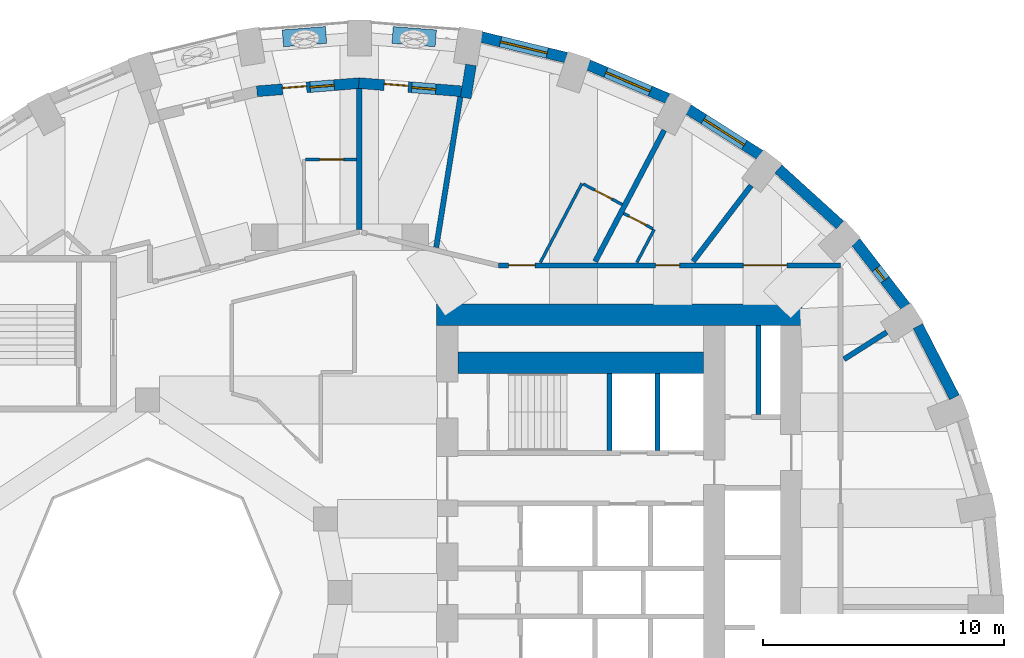
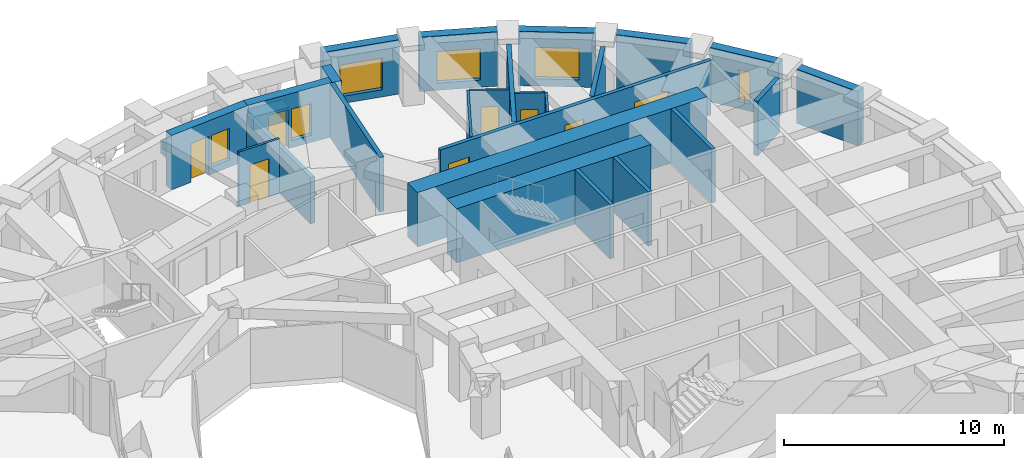
# One storey, part 8 of 12: 27 walls, 8 doors, 6 windows, 14 openings.
"""IFC4 building model written with IfcOpenShell, lengths in metres."""

import ifcopenshell
import ifcopenshell.guid

model = None  # the IFC model being written
_history = None  # IfcOwnerHistory: only IFC2X3 demands one
_inside = {}  # id of a spatial element -> (the spatial element, [elements in it])
_under = {}  # id of a project, library or spatial element -> (it, [spatial elements below it])
_declared = {}  # id of a project -> (the project, [libraries it declares])
_typed = {}  # id of a type object -> (the type object, [elements of that type])
_made_of = {}  # id of a material, layer set ... -> (it, [elements and type objects made of it])


def new_model(schema):
    """Start an empty IFC model of exactly this schema.

    Asked for "IFC4X3", IfcOpenShell would pick the latest addendum, in which some entities
    have other attributes; the version numbers below select the first issue.
    IFC2X3 requires an IfcOwnerHistory on every rooted entity: one is made here for all.
    """
    global model, _history
    if schema == "IFC4X3":
        model = ifcopenshell.file(schema_version=(4, 3, 0, 0))
    else:
        model = ifcopenshell.file(schema=schema)
    _inside.clear()
    _under.clear()
    _declared.clear()
    _typed.clear()
    _made_of.clear()
    _history = None
    if model.schema == "IFC2X3":
        org = make("IfcOrganization", Name="unknown")
        user = make(
            "IfcPersonAndOrganization",
            ThePerson=make("IfcPerson", FamilyName="unknown"),
            TheOrganization=org,
        )
        app = make(
            "IfcApplication",
            ApplicationDeveloper=org,
            Version="unknown",
            ApplicationFullName="unknown",
            ApplicationIdentifier="unknown",
        )
        _history = make(
            "IfcOwnerHistory",
            OwningUser=user,
            OwningApplication=app,
            ChangeAction="ADDED",
            CreationDate=0,
        )
    return model


def make(cls, **values):
    """One entity of the class cls with the attributes given. An attribute that is None is left unset."""
    return model.create_entity(
        cls, **{name: value for name, value in values.items() if value is not None}
    )


def rooted(cls, **values):
    """An entity with a GlobalId (a new one), such as an element, a storey or a relation."""
    return make(cls, GlobalId=ifcopenshell.guid.new(), OwnerHistory=_history, **values)


def si_unit(unit_type, name, prefix=None):
    """IfcSIUnit, for example si_unit("LENGTHUNIT", "METRE", prefix="MILLI")."""
    return make("IfcSIUnit", UnitType=unit_type, Prefix=prefix, Name=name)


def assignment(units):
    """IfcUnitAssignment: the units of a project."""
    return None if units is None else make("IfcUnitAssignment", Units=units)


def point(xyz):
    """IfcCartesianPoint."""
    return None if xyz is None else make("IfcCartesianPoint", Coordinates=xyz)


def direction(xyz):
    """IfcDirection."""
    return None if xyz is None else make("IfcDirection", DirectionRatios=xyz)


def frame(location, z_axis=None, x_axis=None):
    """IfcAxis2Placement3D, a coordinate frame: its origin and axes. An axis left out is left unset."""
    return make(
        "IfcAxis2Placement3D",
        Location=point(location),
        Axis=direction(z_axis),
        RefDirection=direction(x_axis),
    )


def frame_2d(location, x_axis=None):
    """IfcAxis2Placement2D, a coordinate frame in the plane: its origin and x axis."""
    return make(
        "IfcAxis2Placement2D", Location=point(location), RefDirection=direction(x_axis)
    )


def origin():
    """The frame at (0, 0, 0) with its axes left unset."""
    return frame((0.0, 0.0, 0.0))


def place(relative_to, where):
    """IfcLocalPlacement: puts the frame where relative to a parent placement (None: the world)."""
    return make(
        "IfcLocalPlacement", PlacementRelTo=relative_to, RelativePlacement=where
    )


def context(
    kind, dimensions, precision=None, world=None, true_north=None, identifier=None
):
    """IfcGeometricRepresentationContext, for example the 3D "Model" context."""
    return make(
        "IfcGeometricRepresentationContext",
        ContextIdentifier=identifier,
        ContextType=kind,
        CoordinateSpaceDimension=dimensions,
        Precision=precision,
        WorldCoordinateSystem=world,
        TrueNorth=true_north,
    )


def subcontext(parent, identifier, kind, view, scale=None):
    """IfcGeometricRepresentationSubContext, for example "Body" below "Model"."""
    return make(
        "IfcGeometricRepresentationSubContext",
        ContextIdentifier=identifier,
        ContextType=kind,
        ParentContext=parent,
        TargetScale=scale,
        TargetView=view,
    )


def project(units=None, contexts=None):
    """IfcProject with its units and contexts."""
    return rooted(
        "IfcProject",
        Name="project",
        RepresentationContexts=contexts,
        UnitsInContext=assignment(units),
    )


def spatial(cls, under=None, at=None, **own):
    """A site, building, storey or space (cls), placed at a placement, below another one or the project."""
    s = rooted(cls, ObjectPlacement=at, **own)
    if under is not None:
        _under.setdefault(under.id(), (under, []))[1].append(s)
    return s


def profile(cls, at=None, kind="AREA", **sizes):
    """A parametric profile (cls). Its sizes go by their IFC names, for example OverallWidth=200.0."""
    return make(cls, ProfileType=kind, Position=at, **sizes)


def rectangle(**sizes):
    """IfcRectangleProfileDef."""
    return profile("IfcRectangleProfileDef", **sizes)


def extrude(swept, where, along, depth):
    """IfcExtrudedAreaSolid: the profile swept, set in the frame where, extruded along a direction by depth."""
    return make(
        "IfcExtrudedAreaSolid",
        SweptArea=swept,
        Position=where,
        ExtrudedDirection=direction(along),
        Depth=depth,
    )


def shape(context_of_items, identifier, shape_type, items):
    """IfcShapeRepresentation: the items that make up one representation, for example the "Body"."""
    return make(
        "IfcShapeRepresentation",
        ContextOfItems=context_of_items,
        RepresentationIdentifier=identifier,
        RepresentationType=shape_type,
        Items=items,
    )


def material(Name=None, Category=None):
    """IfcMaterial."""
    return make("IfcMaterial", Name=Name, Category=Category)


def layer(
    of_material, thickness, ventilated=None, Name=None, Category=None, Priority=None
):
    """IfcMaterialLayer: one layer of a wall or slab, of a material (None: an air gap)."""
    return make(
        "IfcMaterialLayer",
        Material=of_material,
        LayerThickness=thickness,
        IsVentilated=ventilated,
        Name=Name,
        Category=Category,
        Priority=Priority,
    )


def layer_set(layers, Name=None):
    """IfcMaterialLayerSet."""
    return make("IfcMaterialLayerSet", MaterialLayers=layers, LayerSetName=Name)


def constituent(of_material, Name=None, Category=None, fraction=None):
    """IfcMaterialConstituent: one of the materials an element consists of."""
    return make(
        "IfcMaterialConstituent",
        Name=Name,
        Material=of_material,
        Fraction=fraction,
        Category=Category,
    )


def constituent_set(constituents=None, Name=None):
    """IfcMaterialConstituentSet."""
    return make(
        "IfcMaterialConstituentSet", Name=Name, MaterialConstituents=constituents
    )


def made_of(thing, what):
    """Note that an element or type object is made of a material, layer set ...; save() writes the relation."""
    if what is not None:
        _made_of.setdefault(what.id(), (what, []))[1].append(thing)
    return thing


def type_object(cls, material=None, **own):
    """A type object (cls), such as IfcWallType, which elements share."""
    return made_of(rooted(cls, **own), material)


def element(
    cls,
    number,
    at=None,
    inside=None,
    cuts=None,
    type_object=None,
    material=None,
    context=None,
    identifier="Body",
    shape_type=None,
    held_by="IfcProductDefinitionShape",
    body=None,
    shapes=None,
    **own,
):
    """One element of the class cls, such as IfcWall. Its Tag is "e" and its number.

    at: its placement. inside: the storey or other place that contains it. cuts: it is an
    opening in that element (IfcRelVoidsElement). A single representation is given by context,
    identifier, shape_type and body (its items); several are given by shapes. held_by: the class
    of the entity that holds the representations. save() writes the other relations.
    """
    e = rooted(cls, Tag="e%d" % number, ObjectPlacement=at, **own)
    if body is not None:
        shapes = [shape(context, identifier, shape_type, body)]
    if shapes is not None:
        e.Representation = make(held_by, Representations=shapes)
    if inside is not None:
        _inside.setdefault(inside.id(), (inside, []))[1].append(e)
    if cuts is not None:
        rooted(
            "IfcRelVoidsElement", RelatingBuildingElement=cuts, RelatedOpeningElement=e
        )
    if type_object is not None:
        _typed.setdefault(type_object.id(), (type_object, []))[1].append(e)
    return made_of(e, material)


def fill(opening, filler):
    """IfcRelFillsElement: the door or window that sits in an opening."""
    return rooted(
        "IfcRelFillsElement",
        RelatingOpeningElement=opening,
        RelatedBuildingElement=filler,
    )


def aggregate(whole, parts):
    """IfcRelAggregates: a whole, such as a stair, and the parts it consists of."""
    return rooted("IfcRelAggregates", RelatingObject=whole, RelatedObjects=parts)


def save(model, path):
    """Write the relations noted so far, then the file.

    IfcRelAggregates (storeys below a building ...), IfcRelContainedInSpatialStructure (elements
    in a storey), IfcRelDefinesByType, IfcRelAssociatesMaterial and IfcRelDeclares: one each for
    every whole, place, type object, material and project.
    """
    for whole, parts in _under.values():
        aggregate(whole, parts)
    for where, things in _inside.values():
        rooted(
            "IfcRelContainedInSpatialStructure",
            RelatedElements=things,
            RelatingStructure=where,
        )
    for kind, things in _typed.values():
        rooted("IfcRelDefinesByType", RelatedObjects=things, RelatingType=kind)
    for what, things in _made_of.values():
        rooted("IfcRelAssociatesMaterial", RelatedObjects=things, RelatingMaterial=what)
    for by, libraries in _declared.values():
        rooted("IfcRelDeclares", RelatingContext=by, RelatedDefinitions=libraries)
    model.write(path)


model = new_model("IFC4")

# Units and contexts
model_context = context("Model", 3, precision=1e-05, world=origin(), true_north=direction((0.0, 1.0)))
body_context = subcontext(model_context, "Body", "Model", "MODEL_VIEW")
ifc_project = project(units=[si_unit("LENGTHUNIT", "METRE"), si_unit("AREAUNIT", "SQUARE_METRE"), si_unit("VOLUMEUNIT", "CUBIC_METRE"), si_unit("PLANEANGLEUNIT", "RADIAN"), si_unit("MASSUNIT", "GRAM", prefix="KILO")], contexts=[model_context])

# Site, building, storey
site_placement = place(None, origin())
site = spatial("IfcSite", under=ifc_project, at=site_placement, CompositionType="ELEMENT")
building_placement = place(site_placement, origin())
building = spatial("IfcBuilding", under=site, at=building_placement, Name="Taillehof Tower", CompositionType="ELEMENT")
storey_placement = place(building_placement, frame((0.0, 0.0, 95.5)))
storey = spatial("IfcBuildingStorey", under=building, at=storey_placement, Name="L26", CompositionType="ELEMENT", Elevation=95.5)

# Wall
ifc_material_1 = material(Name="Brick masonry", Category="masonry")
ifc_layer_1 = layer(ifc_material_1, 0.449951171875)
ifc_layer_set_1 = layer_set([ifc_layer_1], Name="Brick infill wall 450")
wall_type_1 = type_object("IfcWallType", Name="Brick infill wall 450", PredefinedType="SOLIDWALL", material=ifc_layer_set_1)
wall_1_placement = place(storey_placement, frame((25.545166015625, 8.1123046875, 0.0), z_axis=(0.0, 0.0, 1.0), x_axis=(-0.456828186229, 0.889554949549, 0.0)))
element("IfcWall", 1, at=wall_1_placement, inside=storey, type_object=wall_type_1, Name="Brick wall L26 bay 3", PredefinedType="SOLIDWALL", context=body_context, shape_type="SweptSolid", body=[
    extrude(rectangle(XDim=3.332763671875, YDim=0.449951171875, at=frame_2d((1.66650390625, 0.0))), origin(), (0.0, 0.0, 1.0), 3.02001953125),
])

# Wall, opening, window
wall_2_placement = place(storey_placement, frame((23.508056640625, 11.887451171875, 0.0), z_axis=(0.0, 0.0, 1.0), x_axis=(-0.610693945156, 0.791866721961, 0.0)))
wall_2 = element("IfcWall", 2, at=wall_2_placement, inside=storey, type_object=wall_type_1, Name="Brick wall L26 bay 4", PredefinedType="SOLIDWALL", context=body_context, shape_type="SweptSolid", body=[
    extrude(rectangle(XDim=3.39453125, YDim=0.449951171875, at=frame_2d((1.697265625, 0.0))), origin(), (0.0, 0.0, 1.0), 3.02001953125),
])
opening_1_placement = place(wall_2_placement, frame((1.397216796875, 0.0, 0.39990234375)))
opening_1 = element("IfcOpeningElement", 3, at=opening_1_placement, cuts=wall_2, Name="Opening W6", PredefinedType="OPENING", context=body_context, shape_type="SweptSolid", body=[
    extrude(rectangle(XDim=0.60009765625, YDim=1.75, at=frame_2d((0.300048828125, 0.875))), frame((0.0, 0.23486328125, 0.0), z_axis=(0.0, -1.0, 0.0), x_axis=(1.0, 0.0, 0.0)), (0.0, 0.0, 1.0), 0.469970703125),
])
ifc_material_2 = material(Name="Aluminium window frame with clear double glazing", Category="aluminium")
window_type_1 = type_object("IfcWindowType", Name="Slot window 600x1750", PartitioningType="SINGLE_PANEL", PredefinedType="WINDOW", material=ifc_material_2)
window_1_placement = place(opening_1_placement, origin())
window_1 = element("IfcWindow", 4, at=window_1_placement, inside=storey, type_object=window_type_1, Name="W6", OverallHeight=1.75, OverallWidth=0.60009765625, PartitioningType="SINGLE_PANEL", PredefinedType="WINDOW", context=body_context, shape_type="SweptSolid", body=[
    extrude(rectangle(XDim=0.60009765625, YDim=1.75, at=frame_2d((0.300048828125, 0.875))), frame((0.0, 0.034912109375, 0.0), z_axis=(0.0, -1.0, 0.0), x_axis=(1.0, 0.0, 0.0)), (0.0, 0.0, 1.0), 0.06005859375),
])
fill(opening_1, window_1)

# Wall
wall_3_placement = place(storey_placement, frame((20.783935546875, 15.281005859375, 0.0), z_axis=(0.0, 0.0, 1.0), x_axis=(-0.74032902847, 0.672244694739, 0.0)))
element("IfcWall", 5, at=wall_3_placement, inside=storey, type_object=wall_type_1, Name="Brick wall L26 bay 5", PredefinedType="SOLIDWALL", context=body_context, shape_type="SweptSolid", body=[
    extrude(rectangle(XDim=3.4638671875, YDim=0.449951171875, at=frame_2d((1.73193359375, 0.0))), origin(), (0.0, 0.0, 1.0), 3.02001953125),
])

# Wall, opening, window
wall_4_placement = place(storey_placement, frame((17.456298828125, 18.19189453125, 0.0), z_axis=(0.0, 0.0, 1.0), x_axis=(-0.843880549131, 0.536531097699, 0.0)))
wall_4 = element("IfcWall", 6, at=wall_4_placement, inside=storey, type_object=wall_type_1, Name="Brick wall L26 bay 6", PredefinedType="SOLIDWALL", context=body_context, shape_type="SweptSolid", body=[
    extrude(rectangle(XDim=3.532470703125, YDim=0.449951171875, at=frame_2d((1.76611328125, 0.0))), origin(), (0.0, 0.0, 1.0), 3.02001953125),
])
opening_2_placement = place(wall_4_placement, frame((0.76611328125, 0.0, 0.39990234375)))
opening_2 = element("IfcOpeningElement", 7, at=opening_2_placement, cuts=wall_4, Name="Opening W2", PredefinedType="OPENING", context=body_context, shape_type="SweptSolid", body=[
    extrude(rectangle(XDim=2.0, YDim=1.75, at=frame_2d((1.0, 0.875))), frame((0.0, 0.23486328125, 0.0), z_axis=(0.0, -1.0, 0.0), x_axis=(1.0, 0.0, 0.0)), (0.0, 0.0, 1.0), 0.469970703125),
])
ifc_material_3 = material(Name="Aluminium window frame with clear double glazing", Category="aluminium")
window_type_2 = type_object("IfcWindowType", Name="Deep-set window 2000x1750", PartitioningType="SINGLE_PANEL", PredefinedType="WINDOW", material=ifc_material_3)
window_2_placement = place(opening_2_placement, origin())
window_2 = element("IfcWindow", 8, at=window_2_placement, inside=storey, type_object=window_type_2, Name="W2", OverallHeight=1.75, OverallWidth=2.0, PartitioningType="SINGLE_PANEL", PredefinedType="WINDOW", context=body_context, shape_type="SweptSolid", body=[
    extrude(rectangle(XDim=2.0, YDim=1.75, at=frame_2d((1.0, 0.875))), frame((0.0, 0.034912109375, 0.0), z_axis=(0.0, -1.0, 0.0), x_axis=(1.0, 0.0, 0.0)), (0.0, 0.0, 1.0), 0.06005859375),
])
fill(opening_2, window_2)

wall_5_placement = place(storey_placement, frame((13.625244140625, 20.533447265625, 0.0), z_axis=(0.0, 0.0, 1.0), x_axis=(-0.920869643542, 0.389870619055, 0.0)))
wall_5 = element("IfcWall", 9, at=wall_5_placement, inside=storey, type_object=wall_type_1, Name="Brick wall L26 bay 7", PredefinedType="SOLIDWALL", context=body_context, shape_type="SweptSolid", body=[
    extrude(rectangle(XDim=3.59130859375, YDim=0.449951171875, at=frame_2d((1.795654296875, 0.0))), origin(), (0.0, 0.0, 1.0), 3.02001953125),
])
opening_3_placement = place(wall_5_placement, frame((0.795654296875, 0.0, 0.39990234375)))
opening_3 = element("IfcOpeningElement", 10, at=opening_3_placement, cuts=wall_5, Name="Opening W2", PredefinedType="OPENING", context=body_context, shape_type="SweptSolid", body=[
    extrude(rectangle(XDim=2.0, YDim=1.75, at=frame_2d((1.0, 0.875))), frame((0.0, 0.23486328125, 0.0), z_axis=(0.0, -1.0, 0.0), x_axis=(1.0, 0.0, 0.0)), (0.0, 0.0, 1.0), 0.469970703125),
])
window_3_placement = place(opening_3_placement, origin())
window_3 = element("IfcWindow", 11, at=window_3_placement, inside=storey, type_object=window_type_2, Name="W2", OverallHeight=1.75, OverallWidth=2.0, PartitioningType="SINGLE_PANEL", PredefinedType="WINDOW", context=body_context, shape_type="SweptSolid", body=[
    extrude(rectangle(XDim=2.0, YDim=1.75, at=frame_2d((1.0, 0.875))), frame((0.0, 0.034912109375, 0.0), z_axis=(0.0, -1.0, 0.0), x_axis=(1.0, 0.0, 0.0)), (0.0, 0.0, 1.0), 0.06005859375),
])
fill(opening_3, window_3)

wall_6_placement = place(storey_placement, frame((9.406494140625, 22.2353515625, 0.0), z_axis=(0.0, 0.0, 1.0), x_axis=(-0.971667603162, 0.236351579148, 0.0)))
wall_6 = element("IfcWall", 12, at=wall_6_placement, inside=storey, type_object=wall_type_1, Name="Brick wall L26 bay 8", PredefinedType="SOLIDWALL", context=body_context, shape_type="SweptSolid", body=[
    extrude(rectangle(XDim=3.635009765625, YDim=0.449951171875, at=frame_2d((1.8173828125, 0.0))), origin(), (0.0, 0.0, 1.0), 3.02001953125),
])
opening_4_placement = place(wall_6_placement, frame((0.8173828125, 0.0, 0.39990234375)))
opening_4 = element("IfcOpeningElement", 13, at=opening_4_placement, cuts=wall_6, Name="Opening W2", PredefinedType="OPENING", context=body_context, shape_type="SweptSolid", body=[
    extrude(rectangle(XDim=2.0, YDim=1.75, at=frame_2d((1.0, 0.875))), frame((0.0, 0.23486328125, 0.0), z_axis=(0.0, -1.0, 0.0), x_axis=(1.0, 0.0, 0.0)), (0.0, 0.0, 1.0), 0.469970703125),
])
window_4_placement = place(opening_4_placement, origin())
window_4 = element("IfcWindow", 14, at=window_4_placement, inside=storey, type_object=window_type_2, Name="W2", OverallHeight=1.75, OverallWidth=2.0, PartitioningType="SINGLE_PANEL", PredefinedType="WINDOW", context=body_context, shape_type="SweptSolid", body=[
    extrude(rectangle(XDim=2.0, YDim=1.75, at=frame_2d((1.0, 0.875))), frame((0.0, 0.034912109375, 0.0), z_axis=(0.0, -1.0, 0.0), x_axis=(1.0, 0.0, 0.0)), (0.0, 0.0, 1.0), 0.06005859375),
])
fill(opening_4, window_4)

# Wall
wall_7_placement = place(storey_placement, frame((5.44140625, 21.932373046875, 0.0), z_axis=(0.0, 0.0, 1.0), x_axis=(-0.158586380547, -0.987345106792, 0.0)))
element("IfcWall", 15, at=wall_7_placement, inside=storey, type_object=wall_type_1, Name="Brick reveal L26 pocket 2", PredefinedType="SOLIDWALL", context=body_context, shape_type="SweptSolid", body=[
    extrude(rectangle(XDim=1.39013671875, YDim=0.449951171875, at=frame_2d((0.695068359375, 0.0))), origin(), (0.0, 0.0, 1.0), 3.02001953125),
])

# Wall, openings, door, window
wall_8_placement = place(storey_placement, frame((5.03759765625, 20.836669921875, 0.0), z_axis=(0.0, 0.0, 1.0), x_axis=(-0.996839780714, 0.079438350855, 0.0)))
wall_8 = element("IfcWall", 16, at=wall_8_placement, inside=storey, type_object=wall_type_1, Name="Brick wall L26 pocket bay 9", PredefinedType="SOLIDWALL", context=body_context, shape_type="SweptSolid", body=[
    extrude(rectangle(XDim=4.268798828125, YDim=0.449951171875, at=frame_2d((2.13427734375, 0.0))), origin(), (0.0, 0.0, 1.0), 3.02001953125),
])
opening_5_placement = place(wall_8_placement, frame((1.0595703125, 0.0, 0.39990234375)))
opening_5 = element("IfcOpeningElement", 17, at=opening_5_placement, cuts=wall_8, Name="Opening W5", PredefinedType="OPENING", context=body_context, shape_type="SweptSolid", body=[
    extrude(rectangle(XDim=1.0, YDim=1.75, at=frame_2d((0.5, 0.875))), frame((0.0, 0.23486328125, 0.0), z_axis=(0.0, -1.0, 0.0), x_axis=(1.0, 0.0, 0.0)), (0.0, 0.0, 1.0), 0.469970703125),
])
opening_6_placement = place(wall_8_placement, frame((2.20947265625, 0.0, 0.0)))
opening_6 = element("IfcOpeningElement", 18, at=opening_6_placement, cuts=wall_8, Name="Opening D2694", PredefinedType="OPENING", context=body_context, shape_type="SweptSolid", body=[
    extrude(rectangle(XDim=1.0, YDim=2.14990234375, at=frame_2d((0.5, 1.074951171875))), frame((0.0, 0.23486328125, 0.0), z_axis=(0.0, -1.0, 0.0), x_axis=(1.0, 0.0, 0.0)), (0.0, 0.0, 1.0), 0.469970703125),
])
ifc_material_4 = material(Name="Aluminium door frame with clear double glazing", Category="aluminium")
door_type_1 = type_object("IfcDoorType", Name="Balcony door 1000x2150", OperationType="SINGLE_SWING_RIGHT", PredefinedType="DOOR", material=ifc_material_4)
door_1_placement = place(opening_6_placement, frame((1.0, 0.0, 0.0), z_axis=(0.0, 0.0, 1.0), x_axis=(-1.0, 0.0, 0.0)))
door_1 = element("IfcDoor", 19, at=door_1_placement, inside=storey, type_object=door_type_1, Name="Balcony door L26 bay 9", OperationType="SINGLE_SWING_RIGHT", OverallHeight=2.14990234375, OverallWidth=1.0, PredefinedType="DOOR", context=body_context, shape_type="SweptSolid", body=[
    extrude(rectangle(XDim=1.0, YDim=2.14990234375, at=frame_2d((0.5, 1.074951171875))), frame((0.0, 0.0751953125, 0.0), z_axis=(0.0, -1.0, 0.0), x_axis=(1.0, 0.0, 0.0)), (0.0, 0.0, 1.0), 0.050048828125),
])
fill(opening_6, door_1)
ifc_material_5 = material(Name="Aluminium window frame with clear double glazing", Category="aluminium")
window_type_3 = type_object("IfcWindowType", Name="Fixed window 1000x1750", PartitioningType="SINGLE_PANEL", PredefinedType="WINDOW", material=ifc_material_5)
window_5_placement = place(opening_5_placement, origin())
window_5 = element("IfcWindow", 20, at=window_5_placement, inside=storey, type_object=window_type_3, Name="W5", OverallHeight=1.75, OverallWidth=1.0, PartitioningType="SINGLE_PANEL", PredefinedType="WINDOW", context=body_context, shape_type="SweptSolid", body=[
    extrude(rectangle(XDim=1.0, YDim=1.75, at=frame_2d((0.5, 0.875))), frame((0.0, 0.034912109375, 0.0), z_axis=(0.0, -1.0, 0.0), x_axis=(1.0, 0.0, 0.0)), (0.0, 0.0, 1.0), 0.06005859375),
])
fill(opening_5, window_5)

wall_9_placement = place(storey_placement, frame((0.81787109375, 21.17578125, 0.0), z_axis=(0.0, 0.0, 1.0), x_axis=(-0.996843824935, -0.079387585235, 0.0)))
wall_9 = element("IfcWall", 21, at=wall_9_placement, inside=storey, type_object=wall_type_1, Name="Brick wall L26 pocket bay 10", PredefinedType="SOLIDWALL", context=body_context, shape_type="SweptSolid", body=[
    extrude(rectangle(XDim=4.286865234375, YDim=0.449951171875, at=frame_2d((2.1435546875, 0.0))), origin(), (0.0, 0.0, 1.0), 3.02001953125),
])
opening_7_placement = place(wall_9_placement, frame((1.068359375, 0.0, 0.39990234375)))
opening_7 = element("IfcOpeningElement", 22, at=opening_7_placement, cuts=wall_9, Name="Opening W5", PredefinedType="OPENING", context=body_context, shape_type="SweptSolid", body=[
    extrude(rectangle(XDim=1.0, YDim=1.75, at=frame_2d((0.5, 0.875))), frame((0.0, 0.23486328125, 0.0), z_axis=(0.0, -1.0, 0.0), x_axis=(1.0, 0.0, 0.0)), (0.0, 0.0, 1.0), 0.469970703125),
])
opening_8_placement = place(wall_9_placement, frame((2.218505859375, 0.0, 0.0)))
opening_8 = element("IfcOpeningElement", 23, at=opening_8_placement, cuts=wall_9, Name="Opening D2695", PredefinedType="OPENING", context=body_context, shape_type="SweptSolid", body=[
    extrude(rectangle(XDim=1.0, YDim=2.14990234375, at=frame_2d((0.5, 1.074951171875))), frame((0.0, 0.23486328125, 0.0), z_axis=(0.0, -1.0, 0.0), x_axis=(1.0, 0.0, 0.0)), (0.0, 0.0, 1.0), 0.469970703125),
])
door_2_placement = place(opening_8_placement, frame((1.0, 0.0, 0.0), z_axis=(0.0, 0.0, 1.0), x_axis=(-1.0, 0.0, 0.0)))
door_2 = element("IfcDoor", 24, at=door_2_placement, inside=storey, type_object=door_type_1, Name="Balcony door L26 bay 10", OperationType="SINGLE_SWING_LEFT", OverallHeight=2.14990234375, OverallWidth=1.0, PredefinedType="DOOR", context=body_context, shape_type="SweptSolid", body=[
    extrude(rectangle(XDim=1.0, YDim=2.14990234375, at=frame_2d((0.5, 1.074951171875))), frame((0.0, 0.0751953125, 0.0), z_axis=(0.0, -1.0, 0.0), x_axis=(1.0, 0.0, 0.0)), (0.0, 0.0, 1.0), 0.050048828125),
])
fill(opening_8, door_2)
window_6_placement = place(opening_7_placement, origin())
window_6 = element("IfcWindow", 25, at=window_6_placement, inside=storey, type_object=window_type_3, Name="W5", OverallHeight=1.75, OverallWidth=1.0, PartitioningType="SINGLE_PANEL", PredefinedType="WINDOW", context=body_context, shape_type="SweptSolid", body=[
    extrude(rectangle(XDim=1.0, YDim=1.75, at=frame_2d((0.5, 0.875))), frame((0.0, 0.034912109375, 0.0), z_axis=(0.0, -1.0, 0.0), x_axis=(1.0, 0.0, 0.0)), (0.0, 0.0, 1.0), 0.06005859375),
])
fill(opening_7, window_6)

# Wall
ifc_material_6 = material(Name="Calcium silicate masonry", Category="masonry")
ifc_layer_2 = layer(ifc_material_6, 0.199951171875)
ifc_layer_set_2 = layer_set([ifc_layer_2], Name="Compartment wall calcium silicate 200")
wall_type_2 = type_object("IfcWallType", Name="Compartment wall calcium silicate 200", PredefinedType="PARTITIONING", material=ifc_layer_set_2)
wall_10_placement = place(storey_placement, frame((17.39990234375, 7.39990234375, 0.0), z_axis=(0.0, 0.0, 1.0), x_axis=(0.0, 1.0, 0.0)))
element("IfcWall", 26, at=wall_10_placement, inside=storey, type_object=wall_type_2, Name="Compartment wall FW", PredefinedType="PARTITIONING", context=body_context, shape_type="SweptSolid", body=[
    extrude(rectangle(XDim=3.7001953125, YDim=0.199951171875, at=frame_2d((1.85009765625, 0.0))), origin(), (0.0, 0.0, 1.0), 3.02001953125),
])

# Wall, openings, doors
ifc_material_7 = material(Name="Gypsum board on steel studs, two layers each side", Category="steel")
ifc_layer_3 = layer(ifc_material_7, 0.199951171875)
ifc_layer_set_3 = layer_set([ifc_layer_3], Name="Compartment wall corridor 200")
wall_type_3 = type_object("IfcWallType", Name="Compartment wall corridor 200", PredefinedType="PARTITIONING", material=ifc_layer_set_3)
wall_11_placement = place(storey_placement, frame((6.588623046875, 13.60009765625, 0.0), z_axis=(0.0, 0.0, 1.0), x_axis=(1.0, 0.0, 0.0)))
wall_11 = element("IfcWall", 27, at=wall_11_placement, inside=storey, type_object=wall_type_3, Name="Compartment wall", PredefinedType="PARTITIONING", context=body_context, shape_type="SweptSolid", body=[
    extrude(rectangle(XDim=14.21142578125, YDim=0.199951171875, at=frame_2d((7.105712890625, 0.0))), origin(), (0.0, 0.0, 1.0), 3.02001953125),
])
opening_9_placement = place(wall_11_placement, frame((6.526611328125, 0.0, 0.0)))
opening_9 = element("IfcOpeningElement", 28, at=opening_9_placement, cuts=wall_11, Name="Opening D2640", PredefinedType="OPENING", context=body_context, shape_type="SweptSolid", body=[
    extrude(rectangle(XDim=1.0, YDim=2.10009765625, at=frame_2d((0.5, 1.050048828125))), frame((0.0, 0.10986328125, 0.0), z_axis=(0.0, -1.0, 0.0), x_axis=(1.0, 0.0, 0.0)), (0.0, 0.0, 1.0), 0.219970703125),
])
opening_10_placement = place(wall_11_placement, frame((0.4228515625, 0.0, 0.0)))
opening_10 = element("IfcOpeningElement", 29, at=opening_10_placement, cuts=wall_11, Name="Opening D2642", PredefinedType="OPENING", context=body_context, shape_type="SweptSolid", body=[
    extrude(rectangle(XDim=1.10009765625, YDim=2.10009765625, at=frame_2d((0.550048828125, 1.050048828125))), frame((0.0, 0.10986328125, 0.0), z_axis=(0.0, -1.0, 0.0), x_axis=(1.0, 0.0, 0.0)), (0.0, 0.0, 1.0), 0.219970703125),
])
opening_11_placement = place(wall_11_placement, frame((10.18115234375, 0.0, 0.0)))
opening_11 = element("IfcOpeningElement", 30, at=opening_11_placement, cuts=wall_11, Name="Opening D2664", PredefinedType="OPENING", context=body_context, shape_type="SweptSolid", body=[
    extrude(rectangle(XDim=1.800048828125, YDim=2.10009765625, at=frame_2d((0.89990234375, 1.050048828125))), frame((0.0, 0.10986328125, 0.0), z_axis=(0.0, -1.0, 0.0), x_axis=(1.0, 0.0, 0.0)), (0.0, 0.0, 1.0), 0.219970703125),
])
ifc_material_8 = material(Name="Timber door leaf in steel frame", Category="steel")
door_type_2 = type_object("IfcDoorType", Name="Guest room door EI 30 1000 x 2100", OperationType="SINGLE_SWING_LEFT", PredefinedType="DOOR", material=ifc_material_8)
door_3_placement = place(opening_9_placement, origin())
door_3 = element("IfcDoor", 31, at=door_3_placement, inside=storey, type_object=door_type_2, Name="D2640", OperationType="SINGLE_SWING_RIGHT", OverallHeight=2.10009765625, OverallWidth=1.0, PredefinedType="DOOR", context=body_context, shape_type="SweptSolid", body=[
    extrude(rectangle(XDim=1.0, YDim=2.10009765625, at=frame_2d((0.5, 1.050048828125))), frame((0.0, 0.02490234375, 0.0), z_axis=(0.0, -1.0, 0.0), x_axis=(1.0, 0.0, 0.0)), (0.0, 0.0, 1.0), 0.050048828125),
])
fill(opening_9, door_3)
ifc_material_9 = material(Name="Timber door leaf in steel frame", Category="steel")
door_type_3 = type_object("IfcDoorType", Name="Lounge and meeting room double door EI 30 1800 x 2100", OperationType="SINGLE_SWING_LEFT", PredefinedType="DOOR", material=ifc_material_9)
door_4_placement = place(opening_11_placement, origin())
door_4 = element("IfcDoor", 32, at=door_4_placement, inside=storey, type_object=door_type_3, Name="D2664", OperationType="DOUBLE_DOOR_SINGLE_SWING", OverallHeight=2.10009765625, OverallWidth=1.800048828125, PredefinedType="DOOR", context=body_context, shape_type="SweptSolid", body=[
    extrude(rectangle(XDim=1.800048828125, YDim=2.10009765625, at=frame_2d((0.89990234375, 1.050048828125))), frame((0.0, 0.02490234375, 0.0), z_axis=(0.0, -1.0, 0.0), x_axis=(1.0, 0.0, 0.0)), (0.0, 0.0, 1.0), 0.050048828125),
])
fill(opening_11, door_4)
ifc_material_10 = material(Name="Timber door leaf in steel frame", Category="steel")
door_type_4 = type_object("IfcDoorType", Name="Suite entrance door EI 30 1100 x 2100", OperationType="SINGLE_SWING_LEFT", PredefinedType="DOOR", material=ifc_material_10)
door_5_placement = place(opening_10_placement, origin())
door_5 = element("IfcDoor", 33, at=door_5_placement, inside=storey, type_object=door_type_4, Name="D2642", OperationType="SINGLE_SWING_RIGHT", OverallHeight=2.10009765625, OverallWidth=1.10009765625, PredefinedType="DOOR", context=body_context, shape_type="SweptSolid", body=[
    extrude(rectangle(XDim=1.10009765625, YDim=2.10009765625, at=frame_2d((0.550048828125, 1.050048828125))), frame((0.0, 0.02490234375, 0.0), z_axis=(0.0, -1.0, 0.0), x_axis=(1.0, 0.0, 0.0)), (0.0, 0.0, 1.0), 0.050048828125),
])
fill(opening_10, door_5)

# Walls
ifc_material_11 = material(Name="Gypsum board on double steel studs with mineral wool", Category="steel")
ifc_layer_4 = layer(ifc_material_11, 0.219970703125)
ifc_layer_set_4 = layer_set([ifc_layer_4], Name="Compartment wall guest room 220")
wall_type_4 = type_object("IfcWallType", Name="Compartment wall guest room 220", PredefinedType="PARTITIONING", material=ifc_layer_set_4)
wall_12_placement = place(storey_placement, frame((22.7265625, 10.8232421875, 0.0), z_axis=(0.0, 0.0, 1.0), x_axis=(-0.844549560094, -0.53547739499, 0.0)))
element("IfcWall", 34, at=wall_12_placement, inside=storey, type_object=wall_type_4, Name="Compartment wall", PredefinedType="PARTITIONING", context=body_context, shape_type="SweptSolid", body=[
    extrude(rectangle(XDim=2.102783203125, YDim=0.219970703125, at=frame_2d((1.05126953125, 0.0))), origin(), (0.0, 0.0, 1.0), 3.02001953125),
])
wall_13_placement = place(storey_placement, frame((17.08935546875, 16.9208984375, 0.0), z_axis=(0.0, 0.0, 1.0), x_axis=(-0.607055443677, -0.794659479464, 0.0)))
element("IfcWall", 35, at=wall_13_placement, inside=storey, type_object=wall_type_4, Name="Compartment wall", PredefinedType="PARTITIONING", context=body_context, shape_type="SweptSolid", body=[
    extrude(rectangle(XDim=3.97314453125, YDim=0.219970703125, at=frame_2d((1.986572265625, 0.0))), origin(), (0.0, 0.0, 1.0), 3.02001953125),
])
wall_14_placement = place(storey_placement, frame((13.47607421875, 19.217529296875, 0.0), z_axis=(0.0, 0.0, 1.0), x_axis=(-0.465345394262, -0.885129179295, 0.0)))
element("IfcWall", 36, at=wall_14_placement, inside=storey, type_object=wall_type_4, Name="Compartment wall", PredefinedType="PARTITIONING", context=body_context, shape_type="SweptSolid", body=[
    extrude(rectangle(XDim=6.1728515625, YDim=0.219970703125, at=frame_2d((3.08642578125, 0.0))), origin(), (0.0, 0.0, 1.0), 3.02001953125),
])
wall_15_placement = place(storey_placement, frame((5.001708984375, 20.614013671875, 0.0), z_axis=(0.0, 0.0, 1.0), x_axis=(-0.158494605855, -0.987359843175, 0.0)))
element("IfcWall", 37, at=wall_15_placement, inside=storey, type_object=wall_type_4, Name="Compartment wall", PredefinedType="PARTITIONING", context=body_context, shape_type="SweptSolid", body=[
    extrude(rectangle(XDim=6.346435546875, YDim=0.219970703125, at=frame_2d((3.17333984375, 0.0))), origin(), (0.0, 0.0, 1.0), 3.02001953125),
])
wall_16_placement = place(storey_placement, frame((0.800048828125, 20.948486328125, 0.0), z_axis=(0.0, 0.0, 1.0), x_axis=(0.0, -1.0, 0.0)))
element("IfcWall", 38, at=wall_16_placement, inside=storey, type_object=wall_type_4, Name="Compartment wall", PredefinedType="PARTITIONING", context=body_context, shape_type="SweptSolid", body=[
    extrude(rectangle(XDim=5.848388671875, YDim=0.219970703125, at=frame_2d((2.92431640625, 0.0))), origin(), (0.0, 0.0, 1.0), 2.570068359375),
])
ifc_material_12 = material(Name="Concrete C80/95", Category="concrete")
ifc_layer_5 = layer(ifc_material_12, 0.89990234375)
ifc_layer_set_5 = layer_set([ifc_layer_5], Name="Core wall C80/95 900")
wall_type_5 = type_object("IfcWallType", Name="Core wall C80/95 900", PredefinedType="SHEAR", material=ifc_layer_set_5)
wall_17_placement = place(storey_placement, frame((4.0, 11.550048828125, 0.0), z_axis=(0.0, 0.0, 1.0), x_axis=(1.0, 0.0, 0.0)))
element("IfcWall", 39, at=wall_17_placement, inside=storey, type_object=wall_type_5, Name="Core wall CW03", PredefinedType="SHEAR", context=body_context, shape_type="SweptSolid", body=[
    extrude(rectangle(XDim=15.199951171875, YDim=0.89990234375, at=frame_2d((7.60009765625, 0.0))), origin(), (0.0, 0.0, 1.0), 3.02001953125),
])
wall_18_placement = place(storey_placement, frame((4.89990234375, 9.550048828125, 0.0), z_axis=(0.0, 0.0, 1.0), x_axis=(1.0, 0.0, 0.0)))
element("IfcWall", 40, at=wall_18_placement, inside=storey, type_object=wall_type_5, Name="Core wall CW06", PredefinedType="SHEAR", context=body_context, shape_type="SweptSolid", body=[
    extrude(rectangle(XDim=10.2001953125, YDim=0.89990234375, at=frame_2d((5.10009765625, 0.0))), origin(), (0.0, 0.0, 1.0), 3.02001953125),
])
ifc_material_13 = material(Name="Gypsum board on steel studs, moisture resistant", Category="steel")
ifc_layer_6 = layer(ifc_material_13, 0.1201171875)
ifc_layer_set_6 = layer_set([ifc_layer_6], Name="En-suite wall 120")
wall_type_6 = type_object("IfcWallType", Name="En-suite wall 120", PredefinedType="PARTITIONING", material=ifc_layer_set_6)
wall_19_placement = place(storey_placement, frame((12.3359375, 13.718017578125, 0.0), z_axis=(0.0, 0.0, 1.0), x_axis=(0.465428746876, 0.88508535271, 0.0)))
element("IfcWall", 41, at=wall_19_placement, inside=storey, type_object=wall_type_6, Name="En-suite wall", PredefinedType="PARTITIONING", context=body_context, shape_type="SweptSolid", body=[
    extrude(rectangle(XDim=1.55224609375, YDim=0.1201171875, at=frame_2d((0.776123046875, 0.0))), origin(), (0.0, 0.0, 1.0), 3.02001953125),
])
wall_20_placement = place(storey_placement, frame((8.325439453125, 13.718017578125, 0.0), z_axis=(0.0, 0.0, 1.0), x_axis=(0.465348566369, 0.885127511593, 0.0)))
element("IfcWall", 42, at=wall_20_placement, inside=storey, type_object=wall_type_6, Name="En-suite wall", PredefinedType="PARTITIONING", context=body_context, shape_type="SweptSolid", body=[
    extrude(rectangle(XDim=3.718017578125, YDim=0.1201171875, at=frame_2d((1.85888671875, 0.0))), origin(), (0.0, 0.0, 1.0), 3.02001953125),
])

# Wall, opening, door
wall_21_placement = place(storey_placement, frame((13.005126953125, 15.11962890625, 0.0), z_axis=(0.0, 0.0, 1.0), x_axis=(-0.885148383454, 0.465308864378, 0.0)))
wall_21 = element("IfcWall", 43, at=wall_21_placement, inside=storey, type_object=wall_type_6, Name="En-suite wall", PredefinedType="PARTITIONING", context=body_context, shape_type="SweptSolid", body=[
    extrude(rectangle(XDim=1.3798828125, YDim=0.1201171875, at=frame_2d((0.68994140625, 0.0))), origin(), (0.0, 0.0, 1.0), 3.02001953125),
])
opening_12_placement = place(wall_21_placement, frame((0.31494140625, 0.0, 0.0)))
opening_12 = element("IfcOpeningElement", 44, at=opening_12_placement, cuts=wall_21, Name="Opening D2641", PredefinedType="OPENING", context=body_context, shape_type="SweptSolid", body=[
    extrude(rectangle(XDim=0.800048828125, YDim=2.10009765625, at=frame_2d((0.39990234375, 1.050048828125))), frame((0.0, 0.070068359375, 0.0), z_axis=(0.0, -1.0, 0.0), x_axis=(1.0, 0.0, 0.0)), (0.0, 0.0, 1.0), 0.14013671875),
])
ifc_material_14 = material(Name="Timber door leaf in steel frame", Category="steel")
door_type_5 = type_object("IfcDoorType", Name="En-suite door 800 x 2100", OperationType="SINGLE_SWING_LEFT", PredefinedType="DOOR", material=ifc_material_14)
door_6_placement = place(opening_12_placement, origin())
door_6 = element("IfcDoor", 45, at=door_6_placement, inside=storey, type_object=door_type_5, Name="D2641", OperationType="SINGLE_SWING_LEFT", OverallHeight=2.10009765625, OverallWidth=0.800048828125, PredefinedType="DOOR", context=body_context, shape_type="SweptSolid", body=[
    extrude(rectangle(XDim=0.800048828125, YDim=2.10009765625, at=frame_2d((0.39990234375, 1.050048828125))), frame((0.0, 0.02490234375, 0.0), z_axis=(0.0, -1.0, 0.0), x_axis=(1.0, 0.0, 0.0)), (0.0, 0.0, 1.0), 0.050048828125),
])
fill(opening_12, door_6)

wall_22_placement = place(storey_placement, frame((10.10888671875, 16.981201171875, 0.0), z_axis=(0.0, 0.0, 1.0), x_axis=(0.885114946598, -0.465372465139, 0.0)))
wall_22 = element("IfcWall", 46, at=wall_22_placement, inside=storey, type_object=wall_type_6, Name="En-suite wall", PredefinedType="PARTITIONING", context=body_context, shape_type="SweptSolid", body=[
    extrude(rectangle(XDim=1.829833984375, YDim=0.1201171875, at=frame_2d((0.9150390625, 0.0))), origin(), (0.0, 0.0, 1.0), 3.02001953125),
])
opening_13_placement = place(wall_22_placement, frame((0.539794921875, 0.0, 0.0)))
opening_13 = element("IfcOpeningElement", 47, at=opening_13_placement, cuts=wall_22, Name="Opening D2643", PredefinedType="OPENING", context=body_context, shape_type="SweptSolid", body=[
    extrude(rectangle(XDim=0.800048828125, YDim=2.10009765625, at=frame_2d((0.39990234375, 1.050048828125))), frame((0.0, 0.070068359375, 0.0), z_axis=(0.0, -1.0, 0.0), x_axis=(1.0, 0.0, 0.0)), (0.0, 0.0, 1.0), 0.14013671875),
])
door_7_placement = place(opening_13_placement, origin())
door_7 = element("IfcDoor", 48, at=door_7_placement, inside=storey, type_object=door_type_5, Name="D2643", OperationType="SINGLE_SWING_RIGHT", OverallHeight=2.10009765625, OverallWidth=0.800048828125, PredefinedType="DOOR", context=body_context, shape_type="SweptSolid", body=[
    extrude(rectangle(XDim=0.800048828125, YDim=2.10009765625, at=frame_2d((0.39990234375, 1.050048828125))), frame((0.0, 0.02490234375, 0.0), z_axis=(0.0, -1.0, 0.0), x_axis=(1.0, 0.0, 0.0)), (0.0, 0.0, 1.0), 0.050048828125),
])
fill(opening_13, door_7)

wall_23_placement = place(storey_placement, frame((-1.43994140625, 18.0, 0.0), z_axis=(0.0, 0.0, 1.0), x_axis=(1.0, 0.0, 0.0)))
wall_23 = element("IfcWall", 49, at=wall_23_placement, inside=storey, type_object=wall_type_6, Name="En-suite wall", PredefinedType="PARTITIONING", context=body_context, shape_type="SweptSolid", body=[
    extrude(rectangle(XDim=2.1298828125, YDim=0.1201171875, at=frame_2d((1.06494140625, 0.0))), origin(), (0.0, 0.0, 1.0), 3.02001953125),
])
opening_14_placement = place(wall_23_placement, frame((0.58984375, 0.0, 0.0)))
opening_14 = element("IfcOpeningElement", 50, at=opening_14_placement, cuts=wall_23, Name="Opening D2646", PredefinedType="OPENING", context=body_context, shape_type="SweptSolid", body=[
    extrude(rectangle(XDim=1.0, YDim=2.10009765625, at=frame_2d((0.5, 1.050048828125))), frame((0.0, 0.070068359375, 0.0), z_axis=(0.0, -1.0, 0.0), x_axis=(1.0, 0.0, 0.0)), (0.0, 0.0, 1.0), 0.14013671875),
])
ifc_material_15 = material(Name="Timber door leaf in steel frame", Category="steel")
door_type_6 = type_object("IfcDoorType", Name="Accessible en-suite door 1000 x 2100", OperationType="SINGLE_SWING_LEFT", PredefinedType="DOOR", material=ifc_material_15)
door_8_placement = place(opening_14_placement, origin())
door_8 = element("IfcDoor", 51, at=door_8_placement, inside=storey, type_object=door_type_6, Name="D2646", OperationType="SINGLE_SWING_LEFT", OverallHeight=2.10009765625, OverallWidth=1.0, PredefinedType="DOOR", context=body_context, shape_type="SweptSolid", body=[
    extrude(rectangle(XDim=1.0, YDim=2.10009765625, at=frame_2d((0.5, 1.050048828125))), frame((0.0, 0.02490234375, 0.0), z_axis=(0.0, -1.0, 0.0), x_axis=(1.0, 0.0, 0.0)), (0.0, 0.0, 1.0), 0.050048828125),
])
fill(opening_14, door_8)

# Walls
ifc_material_16 = material(Name="Concrete C30/37 precast", Category="concrete")
ifc_constituent_1 = constituent(ifc_material_16, Name="Structure", Category="concrete")
ifc_material_17 = material(Name="Insulated lining")
ifc_constituent_2 = constituent(ifc_material_17, Name="Lining")
ifc_constituent_set = constituent_set(constituents=[ifc_constituent_1, ifc_constituent_2], Name="Planter trough 700x750")
wall_type_7 = type_object("IfcWallType", Name="Planter trough 700x750", PredefinedType="USERDEFINED", material=ifc_constituent_set)
for number, where, z_axis, x_axis, name in (
    (52, (3.97802734375, 23.035888671875, 0.0), (0.0, 0.0, 1.0), (-0.996858257414, 0.079206152698, 0.0), "Planter L26 bay 9"),
    (53, (-0.58349609375, 23.178466796875, 0.0), (0.0, 0.0, 1.0), (-0.996858257414, -0.079206152698, 0.0), "Planter L26 bay 10"),
):
    element("IfcWall", number, at=place(storey_placement, frame(where, z_axis=z_axis, x_axis=x_axis)), inside=storey, type_object=wall_type_7, Name=name, ObjectType="PLANTER", PredefinedType="USERDEFINED", context=body_context, shape_type="SweptSolid", body=[
        extrude(rectangle(XDim=1.800048828125, YDim=0.699951171875, at=frame_2d((0.89990234375, 0.0))), origin(), (0.0, 0.0, 1.0), 0.75),
    ])
ifc_material_18 = material(Name="Concrete C50/60", Category="concrete")
ifc_layer_7 = layer(ifc_material_18, 0.199951171875)
ifc_layer_set_7 = layer_set([ifc_layer_7], Name="Shaft wall C50/60 200")
wall_type_8 = type_object("IfcWallType", Name="Shaft wall C50/60 200", PredefinedType="SHEAR", material=ifc_layer_set_7)
for number, where, z_axis, x_axis, name in (
    (54, (11.199951171875, 5.89990234375, 0.0), (0.0, 0.0, 1.0), (0.0, 1.0, 0.0), "Shaft wall SW"),
    (55, (13.199951171875, 5.89990234375, 0.0), (0.0, 0.0, 1.0), (0.0, 1.0, 0.0), "Shaft wall SW"),
):
    element("IfcWall", number, at=place(storey_placement, frame(where, z_axis=z_axis, x_axis=x_axis)), inside=storey, type_object=wall_type_8, Name=name, PredefinedType="SHEAR", context=body_context, shape_type="SweptSolid", body=[
        extrude(rectangle(XDim=3.2001953125, YDim=0.199951171875, at=frame_2d((1.60009765625, 0.0))), origin(), (0.0, 0.0, 1.0), 3.02001953125),
    ])

save(model, "model.ifc")
